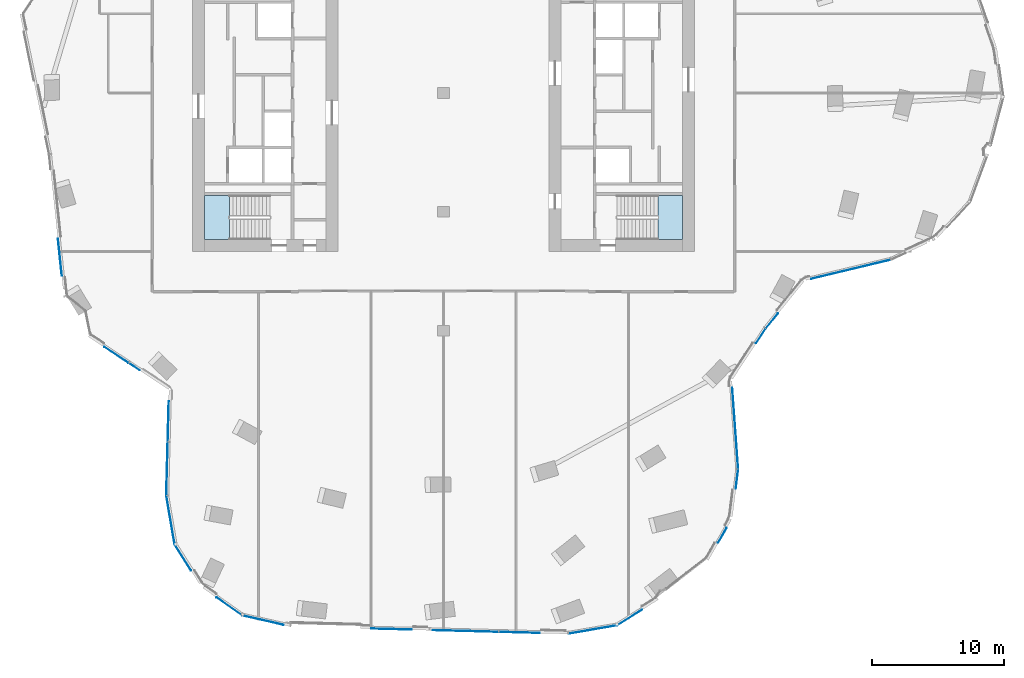
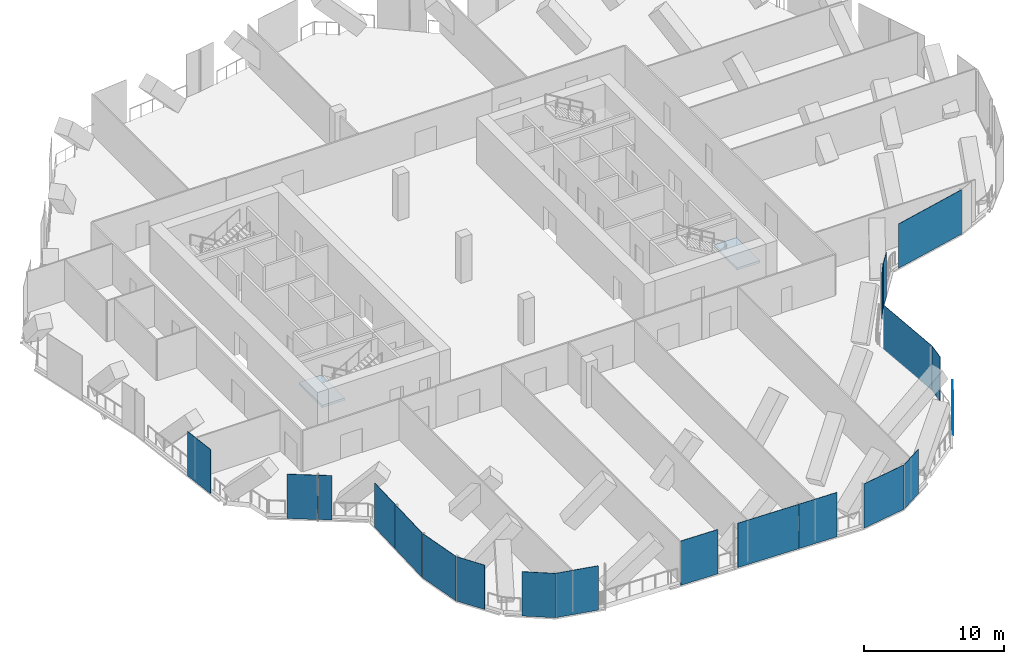
# One storey, part 15 of 26: 20 plates, 2 slabs, 18 elements without a shape of their own.
"""IFC4 building model written with IfcOpenShell, lengths in metres."""

from ifc_helpers import new_model, si_unit, direction, frame, origin, origin_2d, place, context, subcontext, project, spatial, polyline, rectangle, outline, extrude, material, layer, layer_set, type_object, element, aggregate, save


model = new_model("IFC4")

# Units and contexts
model_context = context("Model", 3, precision=1e-05, world=origin(), true_north=direction((0.0, 1.0)))
body_context = subcontext(model_context, "Body", "Model", "MODEL_VIEW")
ifc_project = project(units=[si_unit("LENGTHUNIT", "METRE"), si_unit("AREAUNIT", "SQUARE_METRE"), si_unit("VOLUMEUNIT", "CUBIC_METRE"), si_unit("PLANEANGLEUNIT", "RADIAN"), si_unit("MASSUNIT", "GRAM", prefix="KILO")], contexts=[model_context])

# Site, building, storey
site_placement = place(None, origin())
site = spatial("IfcSite", under=ifc_project, at=site_placement, CompositionType="ELEMENT")
building_placement = place(site_placement, origin())
building = spatial("IfcBuilding", under=site, at=building_placement, Name="Orlundy Tower", CompositionType="ELEMENT")
storey_placement = place(building_placement, frame((0.0, 0.0, 228.0)))
storey = spatial("IfcBuildingStorey", under=building, at=storey_placement, Name="L60", CompositionType="ELEMENT", Elevation=228.0)

# Curtain wall, plate
ifc_material_1 = material(Name="Aluminium bronze anodised", Category="aluminium")
curtain_wall_type = type_object("IfcCurtainWallType", Name="CW5 wall", PredefinedType="NOTDEFINED", material=ifc_material_1)
curtain_wall_1_placement = place(storey_placement, origin())
curtain_wall_1 = element("IfcCurtainWall", 1, at=curtain_wall_1_placement, inside=storey, type_object=curtain_wall_type, Name="CW5 run 00", PredefinedType="NOTDEFINED")
ifc_material_2 = material(Name="Tinted glass", Category="glass")
ifc_layer_1 = layer(ifc_material_2, 0.031982421875)
ifc_layer_set_1 = layer_set([ifc_layer_1], Name="CW5 glass panel 32")
plate_type_1 = type_object("IfcPlateType", Name="CW5 glass panel 32", PredefinedType="CURTAIN_PANEL", material=ifc_layer_set_1)
plate_1_placement = place(storey_placement, frame((-24.772216796875, -19.833984375, -0.280029296875), z_axis=(0.0, 0.0, 1.0), x_axis=(-0.835495906314, 0.549496670175, 0.0)))
plate_1 = element("IfcPlate", 2, at=plate_1_placement, type_object=plate_type_1, Name="CW5 panel", PredefinedType="CURTAIN_PANEL", context=body_context, shape_type="SweptSolid", body=[
    extrude(rectangle(XDim=2.203857421875, YDim=0.031982421875, at=origin_2d()), origin(), (0.0, 0.0, 1.0), 3.8798828125),
])

curtain_wall_2_placement = place(storey_placement, origin())
curtain_wall_2 = element("IfcCurtainWall", 3, at=curtain_wall_2_placement, inside=storey, type_object=curtain_wall_type, Name="CW5 run 03", PredefinedType="NOTDEFINED")
plate_2_placement = place(storey_placement, frame((-29.0439453125, -12.4296875, -0.280029296875), z_axis=(0.0, 0.0, 1.0), x_axis=(-0.104504085518, 0.994524457271, 0.0)))
plate_2 = element("IfcPlate", 4, at=plate_2_placement, type_object=plate_type_1, Name="CW5 panel", PredefinedType="CURTAIN_PANEL", context=body_context, shape_type="SweptSolid", body=[
    extrude(rectangle(XDim=2.80908203125, YDim=0.031982421875, at=origin_2d()), origin(), (0.0, 0.0, 1.0), 3.8798828125),
])
aggregate(curtain_wall_2, [plate_2])

curtain_wall_3_placement = place(storey_placement, origin())
curtain_wall_3 = element("IfcCurtainWall", 5, at=curtain_wall_3_placement, inside=storey, type_object=curtain_wall_type, Name="CW5 run 029", PredefinedType="NOTDEFINED")
plate_3_placement = place(storey_placement, frame((30.863037109375, -13.347900390625, -0.280029296875), z_axis=(0.0, 0.0, 1.0), x_axis=(-0.972363214149, -0.233473295624, 0.0)))
plate_3 = element("IfcPlate", 6, at=plate_3_placement, type_object=plate_type_1, Name="CW5 panel", PredefinedType="CURTAIN_PANEL", context=body_context, shape_type="SweptSolid", body=[
    extrude(rectangle(XDim=6.197509765625, YDim=0.031982421875, at=origin_2d()), origin(), (0.0, 0.0, 1.0), 3.8798828125),
])
aggregate(curtain_wall_3, [plate_3])

curtain_wall_4_placement = place(storey_placement, origin())
curtain_wall_4 = element("IfcCurtainWall", 7, at=curtain_wall_4_placement, inside=storey, type_object=curtain_wall_type, Name="CW5 run 031", PredefinedType="NOTDEFINED")
plate_4_placement = place(storey_placement, frame((24.02734375, -18.39697265625, -0.280029296875), z_axis=(0.0, 0.0, 1.0), x_axis=(-0.549500714223, -0.835493246573, 0.0)))
plate_4 = element("IfcPlate", 8, at=plate_4_placement, type_object=plate_type_1, Name="CW5 panel", PredefinedType="CURTAIN_PANEL", context=body_context, shape_type="SweptSolid", body=[
    extrude(rectangle(XDim=1.29833984375, YDim=0.031982421875, at=origin_2d()), origin(), (0.0, 0.0, 1.0), 3.8798828125),
])
aggregate(curtain_wall_4, [plate_4])

curtain_wall_5_placement = place(storey_placement, origin())
curtain_wall_5 = element("IfcCurtainWall", 9, at=curtain_wall_5_placement, inside=storey, type_object=curtain_wall_type, Name="CW5 run 032", PredefinedType="NOTDEFINED")
plate_5_placement = place(storey_placement, frame((22.08642578125, -25.3798828125, -0.280029296875), z_axis=(0.0, 0.0, 1.0), x_axis=(0.072660980026, -0.997356697467, 0.0)))
plate_5 = element("IfcPlate", 10, at=plate_5_placement, type_object=plate_type_1, Name="CW5 panel", PredefinedType="CURTAIN_PANEL", context=body_context, shape_type="SweptSolid", body=[
    extrude(rectangle(XDim=6.152099609375, YDim=0.031982421875, at=origin_2d()), origin(), (0.0, 0.0, 1.0), 3.8798828125),
])
aggregate(curtain_wall_5, [plate_5])

curtain_wall_6_placement = place(storey_placement, origin())
curtain_wall_6 = element("IfcCurtainWall", 11, at=curtain_wall_6_placement, inside=storey, type_object=curtain_wall_type, Name="CW5 run 034", PredefinedType="NOTDEFINED")
plate_6_placement = place(storey_placement, frame((21.11279296875, -33.5, -0.280029296875), z_axis=(0.0, 0.0, 1.0), x_axis=(-0.493754430095, -0.869601381531, 0.0)))
plate_6 = element("IfcPlate", 12, at=plate_6_placement, type_object=plate_type_1, Name="CW5 panel", PredefinedType="CURTAIN_PANEL", context=body_context, shape_type="SweptSolid", body=[
    extrude(rectangle(XDim=1.289306640625, YDim=0.031982421875, at=origin_2d()), origin(), (0.0, 0.0, 1.0), 3.8798828125),
])
aggregate(curtain_wall_6, [plate_6])

curtain_wall_7_placement = place(storey_placement, origin())
curtain_wall_7 = element("IfcCurtainWall", 13, at=curtain_wall_7_placement, inside=storey, type_object=curtain_wall_type, Name="CW5 run 038", PredefinedType="NOTDEFINED")
plate_7_placement = place(storey_placement, frame((14.091064453125, -39.71826171875, -0.280029296875), z_axis=(0.0, 0.0, 1.0), x_axis=(-0.845732410351, -0.533607243282, 0.0)))
plate_7 = element("IfcPlate", 14, at=plate_7_placement, type_object=plate_type_1, Name="CW5 panel", PredefinedType="CURTAIN_PANEL", context=body_context, shape_type="SweptSolid", body=[
    extrude(rectangle(XDim=2.2109375, YDim=0.031982421875, at=origin_2d()), origin(), (0.0, 0.0, 1.0), 3.8798828125),
])
aggregate(curtain_wall_7, [plate_7])

# Curtain wall, plates
curtain_wall_8_placement = place(storey_placement, origin())
curtain_wall_8 = element("IfcCurtainWall", 15, at=curtain_wall_8_placement, inside=storey, type_object=curtain_wall_type, Name="CW5 run 040", PredefinedType="NOTDEFINED")
plate_8_placement = place(storey_placement, frame((5.739501953125, -40.84814453125, -0.280029296875), z_axis=(0.0, 0.0, 1.0), x_axis=(-0.999656977295, 0.026190222342, 0.0)))
plate_8 = element("IfcPlate", 16, at=plate_8_placement, type_object=plate_type_1, Name="CW5 panel", PredefinedType="CURTAIN_PANEL", context=body_context, shape_type="SweptSolid", body=[
    extrude(rectangle(XDim=3.064453125, YDim=0.031982421875, at=origin_2d()), origin(), (0.0, 0.0, 1.0), 3.8798828125),
])
plate_9_placement = place(storey_placement, frame((1.673583984375, -40.74169921875, -0.280029296875), z_axis=(0.0, 0.0, 1.0), x_axis=(-0.999656977295, 0.026190222342, 0.0)))
plate_9 = element("IfcPlate", 17, at=plate_9_placement, type_object=plate_type_1, Name="CW5 panel", PredefinedType="CURTAIN_PANEL", context=body_context, shape_type="SweptSolid", body=[
    extrude(rectangle(XDim=4.970703125, YDim=0.031982421875, at=origin_2d()), origin(), (0.0, 0.0, 1.0), 3.8798828125),
])

# Curtain wall, plate
curtain_wall_9_placement = place(storey_placement, origin())
curtain_wall_9 = element("IfcCurtainWall", 18, at=curtain_wall_9_placement, inside=storey, type_object=curtain_wall_type, Name="CW5 run 041", PredefinedType="NOTDEFINED")
plate_10_placement = place(storey_placement, frame((-13.681884765625, -39.9189453125, -0.280029296875), z_axis=(0.0, 0.0, 1.0), x_axis=(-0.975341797072, 0.220699748267, 0.0)))
plate_10 = element("IfcPlate", 19, at=plate_10_placement, type_object=plate_type_1, Name="CW5 panel", PredefinedType="CURTAIN_PANEL", context=body_context, shape_type="SweptSolid", body=[
    extrude(rectangle(XDim=3.212158203125, YDim=0.031982421875, at=origin_2d()), origin(), (0.0, 0.0, 1.0), 3.8798828125),
])
aggregate(curtain_wall_9, [plate_10])

curtain_wall_10_placement = place(storey_placement, origin())
curtain_wall_10 = element("IfcCurtainWall", 20, at=curtain_wall_10_placement, inside=storey, type_object=curtain_wall_type, Name="CW5 run 043", PredefinedType="NOTDEFINED")
plate_11_placement = place(storey_placement, frame((-19.732666015625, -35.168212890625, -0.280029296875), z_axis=(0.0, 0.0, 1.0), x_axis=(-0.533607243282, 0.845732410351, 0.0)))
plate_11 = element("IfcPlate", 21, at=plate_11_placement, type_object=plate_type_1, Name="CW5 panel", PredefinedType="CURTAIN_PANEL", context=body_context, shape_type="SweptSolid", body=[
    extrude(rectangle(XDim=2.322021484375, YDim=0.031982421875, at=origin_2d()), origin(), (0.0, 0.0, 1.0), 3.8798828125),
])
aggregate(curtain_wall_10, [plate_11])

curtain_wall_11_placement = place(storey_placement, origin())
curtain_wall_11 = element("IfcCurtainWall", 22, at=curtain_wall_11_placement, inside=storey, type_object=curtain_wall_type, Name="CW5 run 044", PredefinedType="NOTDEFINED")
plate_12_placement = place(storey_placement, frame((-20.668701171875, -32.34521484375, -0.280029296875), z_axis=(0.0, 0.0, 1.0), x_axis=(-0.169428066085, 0.985542556373, 0.0)))
plate_12 = element("IfcPlate", 23, at=plate_12_placement, type_object=plate_type_1, Name="CW5 panel", PredefinedType="CURTAIN_PANEL", context=body_context, shape_type="SweptSolid", body=[
    extrude(rectangle(XDim=3.736083984375, YDim=0.031982421875, at=origin_2d()), origin(), (0.0, 0.0, 1.0), 3.8798828125),
])
aggregate(curtain_wall_11, [plate_12])

curtain_wall_12_placement = place(storey_placement, origin())
curtain_wall_12 = element("IfcCurtainWall", 24, at=curtain_wall_12_placement, inside=storey, type_object=curtain_wall_type, Name="CW5 run 045", PredefinedType="NOTDEFINED")
plate_13_placement = place(storey_placement, frame((-20.841552734375, -24.85400390625, -0.280029296875), z_axis=(0.0, 0.0, 1.0), x_axis=(0.026277483459, 0.999654687311, 0.0)))
plate_13 = element("IfcPlate", 25, at=plate_13_placement, type_object=plate_type_1, Name="CW5 panel", PredefinedType="CURTAIN_PANEL", context=body_context, shape_type="SweptSolid", body=[
    extrude(rectangle(XDim=3.062255859375, YDim=0.031982421875, at=origin_2d()), origin(), (0.0, 0.0, 1.0), 3.8798828125),
])

# Plate
ifc_material_3 = material(Name="Tinted glass", Category="glass")
ifc_layer_2 = layer(ifc_material_3, 0.031982421875)
ifc_layer_set_2 = layer_set([ifc_layer_2], Name="CW5 vent panel 32")
plate_type_2 = type_object("IfcPlateType", Name="CW5 vent panel 32", PredefinedType="CURTAIN_PANEL", material=ifc_layer_set_2)
plate_14_placement = place(storey_placement, frame((-23.40625, -20.732421875, -0.280029296875), z_axis=(0.0, 0.0, 1.0), x_axis=(-0.835495906314, 0.549496670175, 0.0)))
plate_14 = element("IfcPlate", 26, at=plate_14_placement, type_object=plate_type_2, Name="CW5 panel", PredefinedType="CURTAIN_PANEL", context=body_context, shape_type="SweptSolid", body=[
    extrude(rectangle(XDim=0.9658203125, YDim=0.031982421875, at=origin_2d()), origin(), (0.0, 0.0, 1.0), 3.8798828125),
])

aggregate(curtain_wall_1, [plate_14, plate_1])

# Curtain wall, plate
curtain_wall_13_placement = place(storey_placement, origin())
curtain_wall_13 = element("IfcCurtainWall", 27, at=curtain_wall_13_placement, inside=storey, type_object=curtain_wall_type, Name="CW5 run 030", PredefinedType="NOTDEFINED")
plate_15_placement = place(storey_placement, frame((24.86767578125, -17.25341796875, -0.280029296875), z_axis=(0.0, 0.0, 1.0), x_axis=(-0.629349390545, -0.777122477233, 0.0)))
plate_15 = element("IfcPlate", 28, at=plate_15_placement, type_object=plate_type_2, Name="CW5 panel", PredefinedType="CURTAIN_PANEL", context=body_context, shape_type="SweptSolid", body=[
    extrude(rectangle(XDim=1.443115234375, YDim=0.031982421875, at=origin_2d()), origin(), (0.0, 0.0, 1.0), 3.8798828125),
])
aggregate(curtain_wall_13, [plate_15])

curtain_wall_14_placement = place(storey_placement, origin())
curtain_wall_14 = element("IfcCurtainWall", 29, at=curtain_wall_14_placement, inside=storey, type_object=curtain_wall_type, Name="CW5 run 033", PredefinedType="NOTDEFINED")
plate_16_placement = place(storey_placement, frame((22.218505859375, -29.224609375, -0.280029296875), z_axis=(0.0, 0.0, 1.0), x_axis=(-0.12330413281, -0.992368928792, 0.0)))
plate_16 = element("IfcPlate", 30, at=plate_16_placement, type_object=plate_type_2, Name="CW5 panel", PredefinedType="CURTAIN_PANEL", context=body_context, shape_type="SweptSolid", body=[
    extrude(rectangle(XDim=1.465087890625, YDim=0.031982421875, at=origin_2d()), origin(), (0.0, 0.0, 1.0), 3.8798828125),
])
aggregate(curtain_wall_14, [plate_16])

curtain_wall_15_placement = place(storey_placement, origin())
curtain_wall_15 = element("IfcCurtainWall", 31, at=curtain_wall_15_placement, inside=storey, type_object=curtain_wall_type, Name="CW5 run 039", PredefinedType="NOTDEFINED")
plate_17_placement = place(storey_placement, frame((11.315185546875, -40.624755859375, -0.280029296875), z_axis=(0.0, 0.0, 1.0), x_axis=(-0.985542556373, -0.169428066085, 0.0)))
plate_17 = element("IfcPlate", 32, at=plate_17_placement, type_object=plate_type_2, Name="CW5 panel", PredefinedType="CURTAIN_PANEL", context=body_context, shape_type="SweptSolid", body=[
    extrude(rectangle(XDim=3.736083984375, YDim=0.031982421875, at=origin_2d()), origin(), (0.0, 0.0, 1.0), 3.8798828125),
])
aggregate(curtain_wall_15, [plate_17])

# Plate
plate_18_placement = place(storey_placement, frame((-3.938232421875, -40.5947265625, -0.280029296875), z_axis=(0.0, 0.0, 1.0), x_axis=(-0.999656977295, 0.026190222342, 0.0)))
plate_18 = element("IfcPlate", 33, at=plate_18_placement, type_object=plate_type_2, Name="CW5 panel", PredefinedType="CURTAIN_PANEL", context=body_context, shape_type="SweptSolid", body=[
    extrude(rectangle(XDim=3.0400390625, YDim=0.031982421875, at=origin_2d()), origin(), (0.0, 0.0, 1.0), 3.8798828125),
])

aggregate(curtain_wall_8, [plate_8, plate_9, plate_18])

# Curtain wall, plate
curtain_wall_16_placement = place(storey_placement, origin())
curtain_wall_16 = element("IfcCurtainWall", 34, at=curtain_wall_16_placement, inside=storey, type_object=curtain_wall_type, Name="CW5 run 042", PredefinedType="NOTDEFINED")
plate_19_placement = place(storey_placement, frame((-16.220703125, -38.877197265625, -0.280029296875), z_axis=(0.0, 0.0, 1.0), x_axis=(-0.816676153518, 0.577096231381, 0.0)))
plate_19 = element("IfcPlate", 35, at=plate_19_placement, type_object=plate_type_2, Name="CW5 panel", PredefinedType="CURTAIN_PANEL", context=body_context, shape_type="SweptSolid", body=[
    extrude(rectangle(XDim=2.38134765625, YDim=0.031982421875, at=origin_2d()), origin(), (0.0, 0.0, 1.0), 3.8798828125),
])
aggregate(curtain_wall_16, [plate_19])

# Plate
plate_20_placement = place(storey_placement, frame((-20.93603515625, -28.4443359375, -0.280029296875), z_axis=(0.0, 0.0, 1.0), x_axis=(0.026277483459, 0.999654687311, 0.0)))
plate_20 = element("IfcPlate", 36, at=plate_20_placement, type_object=plate_type_2, Name="CW5 panel", PredefinedType="CURTAIN_PANEL", context=body_context, shape_type="SweptSolid", body=[
    extrude(rectangle(XDim=4.02099609375, YDim=0.031982421875, at=origin_2d()), origin(), (0.0, 0.0, 1.0), 3.8798828125),
])

aggregate(curtain_wall_12, [plate_20, plate_13])

# Stair, slab
ifc_material_4 = material(Name="Concrete C50/60", Category="concrete")
stair_type = type_object("IfcStairType", Name="Exit Stair 24 risers", PredefinedType="HALF_TURN_STAIR", material=ifc_material_4)
stair_1_placement = place(storey_placement, origin())
stair_1 = element("IfcStair", 37, at=stair_1_placement, inside=storey, type_object=stair_type, Name="L60 Exit Stair ST-W2", PredefinedType="HALF_TURN_STAIR")
ifc_material_5 = material(Name="Concrete C50/60", Category="concrete")
ifc_layer_3 = layer(ifc_material_5, 0.199951171875)
ifc_layer_set_3 = layer_set([ifc_layer_3], Name="Exit Stair Landing")
slab_type = type_object("IfcSlabType", Name="Exit Stair Landing", PredefinedType="LANDING", material=ifc_layer_set_3)
slab_1_placement = place(storey_placement, frame((0.0, 0.0, 1.800048828125)))
slab_1 = element("IfcSlab", 38, at=slab_1_placement, type_object=slab_type, Name="ST-W2 landing 1", PredefinedType="LANDING", context=body_context, shape_type="SweptSolid", body=[
    extrude(outline(polyline([(-16.219970703125, -7.75), (-18.10009765625, -7.75), (-18.10009765625, -11.10009765625), (-16.219970703125, -11.10009765625), (-16.219970703125, -7.75)])), origin(), (0.0, 0.0, 1.0), 0.199951171875),
])
aggregate(stair_1, [slab_1])

stair_2_placement = place(storey_placement, origin())
stair_2 = element("IfcStair", 39, at=stair_2_placement, inside=storey, type_object=stair_type, Name="L60 Exit Stair ST-E1", PredefinedType="HALF_TURN_STAIR")
slab_2_placement = place(storey_placement, frame((0.0, 0.0, 1.800048828125)))
slab_2 = element("IfcSlab", 40, at=slab_2_placement, type_object=slab_type, Name="ST-E1 landing 1", PredefinedType="LANDING", context=body_context, shape_type="SweptSolid", body=[
    extrude(outline(polyline([(16.219970703125, -11.10009765625), (18.10009765625, -11.10009765625), (18.10009765625, -7.75), (16.219970703125, -7.75), (16.219970703125, -11.10009765625)])), origin(), (0.0, 0.0, 1.0), 0.199951171875),
])
aggregate(stair_2, [slab_2])

save(model, "model.ifc")
